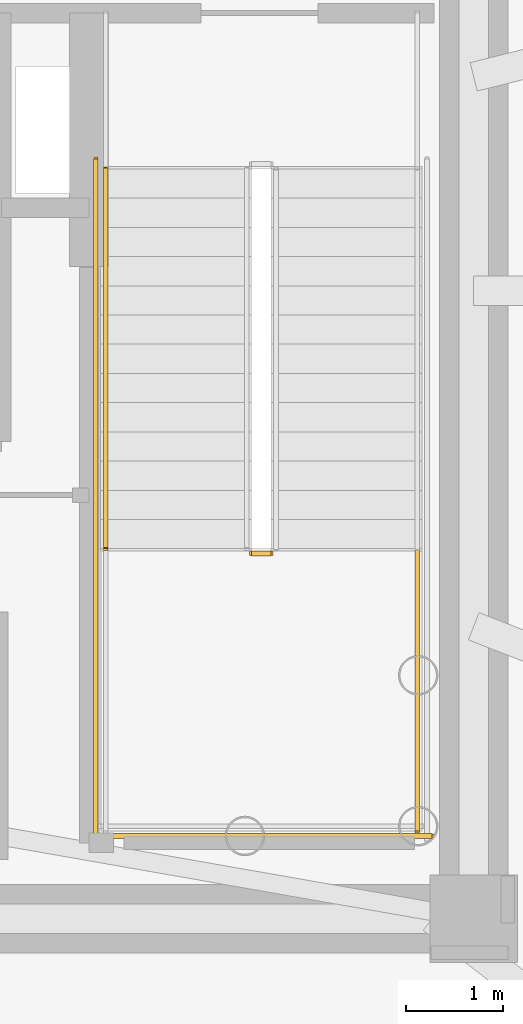
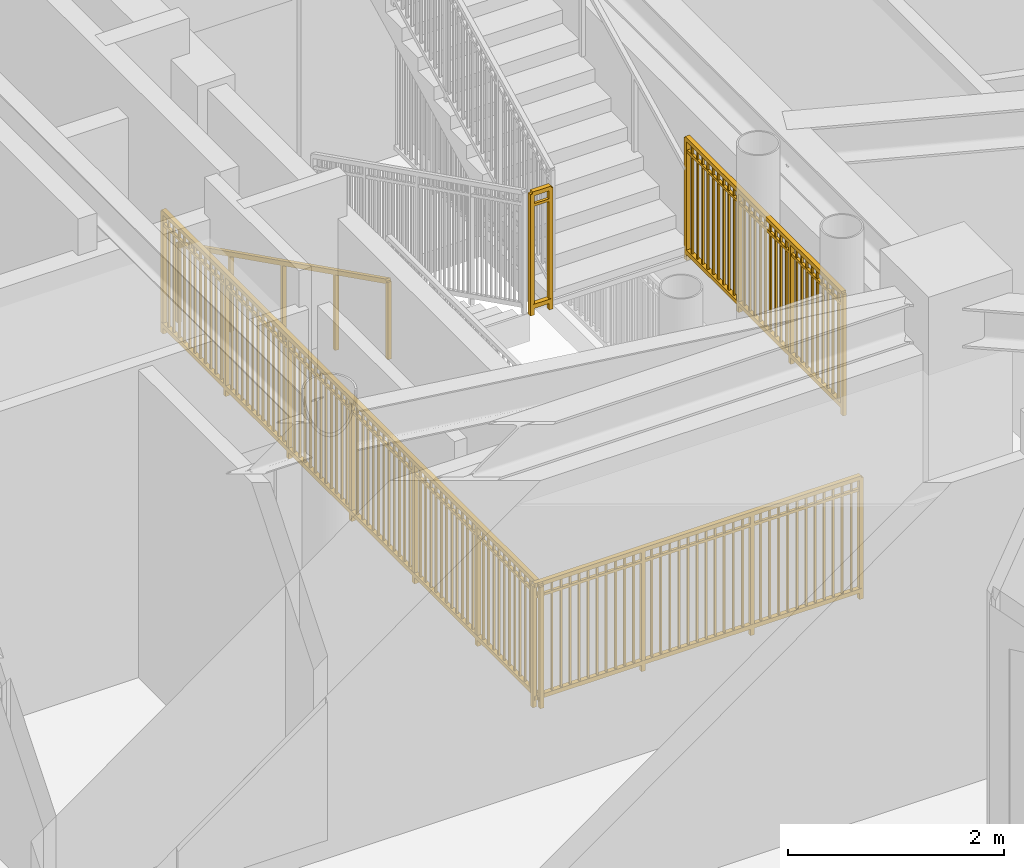
# One storey, part 20 of 24: 5 railings.
"""IFC4 building model written with IfcOpenShell, lengths in metres."""

from ifc_helpers import new_model, si_unit, direction, frame, origin, origin_2d, place, context, subcontext, project, spatial, rectangle, extrude, source, transform, mapped, material, type_object, element, save


model = new_model("IFC4")

# Units and contexts
model_context = context("Model", 3, precision=1e-05, world=origin(), true_north=direction((0.0, 1.0)))
body_context = subcontext(model_context, "Body", "Model", "MODEL_VIEW")
ifc_project = project(units=[si_unit("LENGTHUNIT", "METRE"), si_unit("AREAUNIT", "SQUARE_METRE"), si_unit("VOLUMEUNIT", "CUBIC_METRE"), si_unit("PLANEANGLEUNIT", "RADIAN"), si_unit("MASSUNIT", "GRAM", prefix="KILO")], contexts=[model_context])

# Site, building, storey
site_placement = place(None, origin())
site = spatial("IfcSite", under=ifc_project, at=site_placement, CompositionType="ELEMENT")
building_placement = place(site_placement, origin())
building = spatial("IfcBuilding", under=site, at=building_placement, Name="Linh Dai School and Residence Tower", CompositionType="ELEMENT")
storey_placement = place(building_placement, frame((0.0, 0.0, 355.199951171875)))
storey = spatial("IfcBuildingStorey", under=building, at=storey_placement, Name="L88", CompositionType="ELEMENT", Elevation=355.199951171875)

# Railings
ifc_material_1 = material(Name="Structural Steel S355JR", Category="steel")
railing_type_1 = type_object("IfcRailingType", Name="RL-ST-GUARD-1400", PredefinedType="GUARDRAIL", material=ifc_material_1)
shared_shape_1 = source(origin(), body_context, "Body", "SweptSolid", [
    extrude(rectangle(XDim=0.048095703125, YDim=0.048095703125, at=origin_2d()), frame((0.0, 0.0, 1.3759765625), z_axis=(1.0, 0.0, 0.0), x_axis=(0.0, 1.0, 0.0)), (0.0, 0.0, 1.0), 0.199951171875),
    extrude(rectangle(XDim=0.048095703125, YDim=0.048095703125, at=origin_2d()), frame((0.0, 0.0, 0.10009765625), z_axis=(1.0, 0.0, 0.0), x_axis=(0.0, 1.0, 0.0)), (0.0, 0.0, 1.0), 0.199951171875),
    extrude(rectangle(XDim=0.030029296875, YDim=0.030029296875, at=origin_2d()), frame((0.0, 0.0, 1.239990234375), z_axis=(1.0, 0.0, 0.0), x_axis=(0.0, 1.0, 0.0)), (0.0, 0.0, 1.0), 0.199951171875),
    extrude(rectangle(XDim=0.0419921875, YDim=0.0419921875, at=origin_2d()), origin(), (0.0, 0.0, 1.0), 1.3759765625),
    extrude(rectangle(XDim=0.0419921875, YDim=0.0419921875, at=origin_2d()), frame((0.199951171875, 0.0, 0.0)), (0.0, 0.0, 1.0), 1.3759765625),
])
railing_1_placement = place(storey_placement, frame((42.570068359375, 24.300048828125, 2.10009765625)))
element("IfcRailing", 1, at=railing_1_placement, inside=storey, type_object=railing_type_1, Name="L88 ST2 stair guard 2", PredefinedType="GUARDRAIL", context=body_context, shape_type="MappedRepresentation", body=[
    mapped(shared_shape_1, transform((0.0, 0.0, 0.0), x_axis=(1.0, 0.0, 0.0), y_axis=(0.0, 1.0, 0.0), z_axis=(0.0, 0.0, 1.0), scale=1.0)),
])
shared_shape_2 = source(origin(), body_context, "Body", "SweptSolid", [
    extrude(rectangle(XDim=0.048095703125, YDim=0.048095703125, at=origin_2d()), frame((0.0, 0.0, 1.3759765625), z_axis=(0.0, -1.0, 0.0), x_axis=(1.0, 0.0, 0.0)), (0.0, 0.0, 1.0), 7.0),
    extrude(rectangle(XDim=0.048095703125, YDim=0.048095703125, at=origin_2d()), frame((0.0, 0.0, 0.10009765625), z_axis=(0.0, -1.0, 0.0), x_axis=(1.0, 0.0, 0.0)), (0.0, 0.0, 1.0), 7.0),
    extrude(rectangle(XDim=0.030029296875, YDim=0.030029296875, at=origin_2d()), frame((0.0, 0.0, 1.239990234375), z_axis=(0.0, -1.0, 0.0), x_axis=(1.0, 0.0, 0.0)), (0.0, 0.0, 1.0), 7.0),
    extrude(rectangle(XDim=0.02001953125, YDim=0.02001953125, at=origin_2d()), frame((0.0, -0.09716796875, 0.10009765625)), (0.0, 0.0, 1.0), 1.251708984375),
    extrude(rectangle(XDim=0.02001953125, YDim=0.02001953125, at=origin_2d()), frame((0.0, -0.1943359375, 0.10009765625)), (0.0, 0.0, 1.0), 1.251708984375),
    extrude(rectangle(XDim=0.02001953125, YDim=0.02001953125, at=origin_2d()), frame((0.0, -0.291748046875, 0.10009765625)), (0.0, 0.0, 1.0), 1.251708984375),
    extrude(rectangle(XDim=0.02001953125, YDim=0.02001953125, at=origin_2d()), frame((0.0, -0.388916015625, 0.10009765625)), (0.0, 0.0, 1.0), 1.251708984375),
    extrude(rectangle(XDim=0.02001953125, YDim=0.02001953125, at=origin_2d()), frame((0.0, -0.486083984375, 0.10009765625)), (0.0, 0.0, 1.0), 1.251708984375),
    extrude(rectangle(XDim=0.02001953125, YDim=0.02001953125, at=origin_2d()), frame((0.0, -0.583251953125, 0.10009765625)), (0.0, 0.0, 1.0), 1.251708984375),
    extrude(rectangle(XDim=0.02001953125, YDim=0.02001953125, at=origin_2d()), frame((0.0, -0.6806640625, 0.10009765625)), (0.0, 0.0, 1.0), 1.251708984375),
    extrude(rectangle(XDim=0.02001953125, YDim=0.02001953125, at=origin_2d()), frame((0.0, -0.77783203125, 0.10009765625)), (0.0, 0.0, 1.0), 1.251708984375),
    extrude(rectangle(XDim=0.02001953125, YDim=0.02001953125, at=origin_2d()), frame((0.0, -0.875, 0.10009765625)), (0.0, 0.0, 1.0), 1.251708984375),
    extrude(rectangle(XDim=0.02001953125, YDim=0.02001953125, at=origin_2d()), frame((0.0, -0.97216796875, 0.10009765625)), (0.0, 0.0, 1.0), 1.251708984375),
    extrude(rectangle(XDim=0.02001953125, YDim=0.02001953125, at=origin_2d()), frame((0.0, -1.0693359375, 0.10009765625)), (0.0, 0.0, 1.0), 1.251708984375),
    extrude(rectangle(XDim=0.02001953125, YDim=0.02001953125, at=origin_2d()), frame((0.0, -1.263916015625, 0.10009765625)), (0.0, 0.0, 1.0), 1.251708984375),
    extrude(rectangle(XDim=0.02001953125, YDim=0.02001953125, at=origin_2d()), frame((0.0, -1.361083984375, 0.10009765625)), (0.0, 0.0, 1.0), 1.251708984375),
    extrude(rectangle(XDim=0.02001953125, YDim=0.02001953125, at=origin_2d()), frame((0.0, -1.458251953125, 0.10009765625)), (0.0, 0.0, 1.0), 1.251708984375),
    extrude(rectangle(XDim=0.02001953125, YDim=0.02001953125, at=origin_2d()), frame((0.0, -1.5556640625, 0.10009765625)), (0.0, 0.0, 1.0), 1.251708984375),
    extrude(rectangle(XDim=0.02001953125, YDim=0.02001953125, at=origin_2d()), frame((0.0, -1.65283203125, 0.10009765625)), (0.0, 0.0, 1.0), 1.251708984375),
    extrude(rectangle(XDim=0.02001953125, YDim=0.02001953125, at=origin_2d()), frame((0.0, -1.75, 0.10009765625)), (0.0, 0.0, 1.0), 1.251708984375),
    extrude(rectangle(XDim=0.02001953125, YDim=0.02001953125, at=origin_2d()), frame((0.0, -1.84716796875, 0.10009765625)), (0.0, 0.0, 1.0), 1.251708984375),
    extrude(rectangle(XDim=0.02001953125, YDim=0.02001953125, at=origin_2d()), frame((0.0, -1.9443359375, 0.10009765625)), (0.0, 0.0, 1.0), 1.251708984375),
    extrude(rectangle(XDim=0.02001953125, YDim=0.02001953125, at=origin_2d()), frame((0.0, -2.041748046875, 0.10009765625)), (0.0, 0.0, 1.0), 1.251708984375),
    extrude(rectangle(XDim=0.02001953125, YDim=0.02001953125, at=origin_2d()), frame((0.0, -2.138916015625, 0.10009765625)), (0.0, 0.0, 1.0), 1.251708984375),
    extrude(rectangle(XDim=0.02001953125, YDim=0.02001953125, at=origin_2d()), frame((0.0, -2.236083984375, 0.10009765625)), (0.0, 0.0, 1.0), 1.251708984375),
    extrude(rectangle(XDim=0.02001953125, YDim=0.02001953125, at=origin_2d()), frame((0.0, -2.4306640625, 0.10009765625)), (0.0, 0.0, 1.0), 1.251708984375),
    extrude(rectangle(XDim=0.02001953125, YDim=0.02001953125, at=origin_2d()), frame((0.0, -2.52783203125, 0.10009765625)), (0.0, 0.0, 1.0), 1.251708984375),
    extrude(rectangle(XDim=0.02001953125, YDim=0.02001953125, at=origin_2d()), frame((0.0, -2.625, 0.10009765625)), (0.0, 0.0, 1.0), 1.251708984375),
    extrude(rectangle(XDim=0.02001953125, YDim=0.02001953125, at=origin_2d()), frame((0.0, -2.72216796875, 0.10009765625)), (0.0, 0.0, 1.0), 1.251708984375),
    extrude(rectangle(XDim=0.02001953125, YDim=0.02001953125, at=origin_2d()), frame((0.0, -2.8193359375, 0.10009765625)), (0.0, 0.0, 1.0), 1.251708984375),
    extrude(rectangle(XDim=0.02001953125, YDim=0.02001953125, at=origin_2d()), frame((0.0, -2.916748046875, 0.10009765625)), (0.0, 0.0, 1.0), 1.251708984375),
    extrude(rectangle(XDim=0.02001953125, YDim=0.02001953125, at=origin_2d()), frame((0.0, -3.013916015625, 0.10009765625)), (0.0, 0.0, 1.0), 1.251708984375),
    extrude(rectangle(XDim=0.02001953125, YDim=0.02001953125, at=origin_2d()), frame((0.0, -3.111083984375, 0.10009765625)), (0.0, 0.0, 1.0), 1.251708984375),
    extrude(rectangle(XDim=0.02001953125, YDim=0.02001953125, at=origin_2d()), frame((0.0, -3.208251953125, 0.10009765625)), (0.0, 0.0, 1.0), 1.251708984375),
    extrude(rectangle(XDim=0.02001953125, YDim=0.02001953125, at=origin_2d()), frame((0.0, -3.3056640625, 0.10009765625)), (0.0, 0.0, 1.0), 1.251708984375),
    extrude(rectangle(XDim=0.02001953125, YDim=0.02001953125, at=origin_2d()), frame((0.0, -3.40283203125, 0.10009765625)), (0.0, 0.0, 1.0), 1.251708984375),
    extrude(rectangle(XDim=0.02001953125, YDim=0.02001953125, at=origin_2d()), frame((0.0, -3.59716796875, 0.10009765625)), (0.0, 0.0, 1.0), 1.251708984375),
    extrude(rectangle(XDim=0.02001953125, YDim=0.02001953125, at=origin_2d()), frame((0.0, -3.6943359375, 0.10009765625)), (0.0, 0.0, 1.0), 1.251708984375),
    extrude(rectangle(XDim=0.02001953125, YDim=0.02001953125, at=origin_2d()), frame((0.0, -3.791748046875, 0.10009765625)), (0.0, 0.0, 1.0), 1.251708984375),
    extrude(rectangle(XDim=0.02001953125, YDim=0.02001953125, at=origin_2d()), frame((0.0, -3.888916015625, 0.10009765625)), (0.0, 0.0, 1.0), 1.251708984375),
    extrude(rectangle(XDim=0.02001953125, YDim=0.02001953125, at=origin_2d()), frame((0.0, -3.986083984375, 0.10009765625)), (0.0, 0.0, 1.0), 1.251708984375),
    extrude(rectangle(XDim=0.02001953125, YDim=0.02001953125, at=origin_2d()), frame((0.0, -4.083251953125, 0.10009765625)), (0.0, 0.0, 1.0), 1.251708984375),
    extrude(rectangle(XDim=0.02001953125, YDim=0.02001953125, at=origin_2d()), frame((0.0, -4.1806640625, 0.10009765625)), (0.0, 0.0, 1.0), 1.251708984375),
    extrude(rectangle(XDim=0.02001953125, YDim=0.02001953125, at=origin_2d()), frame((0.0, -4.27783203125, 0.10009765625)), (0.0, 0.0, 1.0), 1.251708984375),
    extrude(rectangle(XDim=0.02001953125, YDim=0.02001953125, at=origin_2d()), frame((0.0, -4.375, 0.10009765625)), (0.0, 0.0, 1.0), 1.251708984375),
    extrude(rectangle(XDim=0.02001953125, YDim=0.02001953125, at=origin_2d()), frame((0.0, -4.47216796875, 0.10009765625)), (0.0, 0.0, 1.0), 1.251708984375),
    extrude(rectangle(XDim=0.02001953125, YDim=0.02001953125, at=origin_2d()), frame((0.0, -4.5693359375, 0.10009765625)), (0.0, 0.0, 1.0), 1.251708984375),
    extrude(rectangle(XDim=0.02001953125, YDim=0.02001953125, at=origin_2d()), frame((0.0, -4.763916015625, 0.10009765625)), (0.0, 0.0, 1.0), 1.251708984375),
    extrude(rectangle(XDim=0.02001953125, YDim=0.02001953125, at=origin_2d()), frame((0.0, -4.861083984375, 0.10009765625)), (0.0, 0.0, 1.0), 1.251708984375),
    extrude(rectangle(XDim=0.02001953125, YDim=0.02001953125, at=origin_2d()), frame((0.0, -4.958251953125, 0.10009765625)), (0.0, 0.0, 1.0), 1.251708984375),
    extrude(rectangle(XDim=0.02001953125, YDim=0.02001953125, at=origin_2d()), frame((0.0, -5.0556640625, 0.10009765625)), (0.0, 0.0, 1.0), 1.251708984375),
    extrude(rectangle(XDim=0.02001953125, YDim=0.02001953125, at=origin_2d()), frame((0.0, -5.15283203125, 0.10009765625)), (0.0, 0.0, 1.0), 1.251708984375),
    extrude(rectangle(XDim=0.02001953125, YDim=0.02001953125, at=origin_2d()), frame((0.0, -5.25, 0.10009765625)), (0.0, 0.0, 1.0), 1.251708984375),
    extrude(rectangle(XDim=0.02001953125, YDim=0.02001953125, at=origin_2d()), frame((0.0, -5.34716796875, 0.10009765625)), (0.0, 0.0, 1.0), 1.251708984375),
    extrude(rectangle(XDim=0.02001953125, YDim=0.02001953125, at=origin_2d()), frame((0.0, -5.4443359375, 0.10009765625)), (0.0, 0.0, 1.0), 1.251708984375),
    extrude(rectangle(XDim=0.02001953125, YDim=0.02001953125, at=origin_2d()), frame((0.0, -5.541748046875, 0.10009765625)), (0.0, 0.0, 1.0), 1.251708984375),
    extrude(rectangle(XDim=0.02001953125, YDim=0.02001953125, at=origin_2d()), frame((0.0, -5.638916015625, 0.10009765625)), (0.0, 0.0, 1.0), 1.251708984375),
    extrude(rectangle(XDim=0.02001953125, YDim=0.02001953125, at=origin_2d()), frame((0.0, -5.736083984375, 0.10009765625)), (0.0, 0.0, 1.0), 1.251708984375),
    extrude(rectangle(XDim=0.02001953125, YDim=0.02001953125, at=origin_2d()), frame((0.0, -5.9306640625, 0.10009765625)), (0.0, 0.0, 1.0), 1.251708984375),
    extrude(rectangle(XDim=0.02001953125, YDim=0.02001953125, at=origin_2d()), frame((0.0, -6.02783203125, 0.10009765625)), (0.0, 0.0, 1.0), 1.251708984375),
    extrude(rectangle(XDim=0.02001953125, YDim=0.02001953125, at=origin_2d()), frame((0.0, -6.125, 0.10009765625)), (0.0, 0.0, 1.0), 1.251708984375),
    extrude(rectangle(XDim=0.02001953125, YDim=0.02001953125, at=origin_2d()), frame((0.0, -6.22216796875, 0.10009765625)), (0.0, 0.0, 1.0), 1.251708984375),
    extrude(rectangle(XDim=0.02001953125, YDim=0.02001953125, at=origin_2d()), frame((0.0, -6.3193359375, 0.10009765625)), (0.0, 0.0, 1.0), 1.251708984375),
    extrude(rectangle(XDim=0.02001953125, YDim=0.02001953125, at=origin_2d()), frame((0.0, -6.416748046875, 0.10009765625)), (0.0, 0.0, 1.0), 1.251708984375),
    extrude(rectangle(XDim=0.02001953125, YDim=0.02001953125, at=origin_2d()), frame((0.0, -6.513916015625, 0.10009765625)), (0.0, 0.0, 1.0), 1.251708984375),
    extrude(rectangle(XDim=0.02001953125, YDim=0.02001953125, at=origin_2d()), frame((0.0, -6.611083984375, 0.10009765625)), (0.0, 0.0, 1.0), 1.251708984375),
    extrude(rectangle(XDim=0.02001953125, YDim=0.02001953125, at=origin_2d()), frame((0.0, -6.708251953125, 0.10009765625)), (0.0, 0.0, 1.0), 1.251708984375),
    extrude(rectangle(XDim=0.02001953125, YDim=0.02001953125, at=origin_2d()), frame((0.0, -6.8056640625, 0.10009765625)), (0.0, 0.0, 1.0), 1.251708984375),
    extrude(rectangle(XDim=0.02001953125, YDim=0.02001953125, at=origin_2d()), frame((0.0, -6.90283203125, 0.10009765625)), (0.0, 0.0, 1.0), 1.251708984375),
    extrude(rectangle(XDim=0.0419921875, YDim=0.0419921875, at=origin_2d()), origin(), (0.0, 0.0, 1.0), 1.3759765625),
    extrude(rectangle(XDim=0.0419921875, YDim=0.0419921875, at=origin_2d()), frame((0.0, -1.166748046875, 0.0)), (0.0, 0.0, 1.0), 1.3759765625),
    extrude(rectangle(XDim=0.0419921875, YDim=0.0419921875, at=origin_2d()), frame((0.0, -2.333251953125, 0.0)), (0.0, 0.0, 1.0), 1.3759765625),
    extrude(rectangle(XDim=0.0419921875, YDim=0.0419921875, at=origin_2d()), frame((0.0, -3.5, 0.0)), (0.0, 0.0, 1.0), 1.3759765625),
    extrude(rectangle(XDim=0.0419921875, YDim=0.0419921875, at=origin_2d()), frame((0.0, -4.666748046875, 0.0)), (0.0, 0.0, 1.0), 1.3759765625),
    extrude(rectangle(XDim=0.0419921875, YDim=0.0419921875, at=origin_2d()), frame((0.0, -5.833251953125, 0.0)), (0.0, 0.0, 1.0), 1.3759765625),
    extrude(rectangle(XDim=0.0419921875, YDim=0.0419921875, at=origin_2d()), frame((0.0, -7.0, 0.0)), (0.0, 0.0, 1.0), 1.3759765625),
])
railing_2_placement = place(storey_placement, frame((40.969970703125, 28.35009765625, 0.0)))
element("IfcRailing", 2, at=railing_2_placement, inside=storey, type_object=railing_type_1, Name="L88 ST2 stair guard 10", PredefinedType="GUARDRAIL", context=body_context, shape_type="MappedRepresentation", body=[
    mapped(shared_shape_2, transform((0.0, 0.0, 0.0), x_axis=(1.0, 0.0, 0.0), y_axis=(0.0, 1.0, 0.0), z_axis=(0.0, 0.0, 1.0), scale=1.0)),
])
shared_shape_3 = source(origin(), body_context, "Body", "SweptSolid", [
    extrude(rectangle(XDim=0.048095703125, YDim=0.048095703125, at=origin_2d()), frame((0.0, 0.0, 1.3759765625), z_axis=(1.0, 0.0, 0.0), x_axis=(0.0, 1.0, 0.0)), (0.0, 0.0, 1.0), 3.5),
    extrude(rectangle(XDim=0.048095703125, YDim=0.048095703125, at=origin_2d()), frame((0.0, 0.0, 0.10009765625), z_axis=(1.0, 0.0, 0.0), x_axis=(0.0, 1.0, 0.0)), (0.0, 0.0, 1.0), 3.5),
    extrude(rectangle(XDim=0.030029296875, YDim=0.030029296875, at=origin_2d()), frame((0.0, 0.0, 1.239990234375), z_axis=(1.0, 0.0, 0.0), x_axis=(0.0, 1.0, 0.0)), (0.0, 0.0, 1.0), 3.5),
    extrude(rectangle(XDim=0.02001953125, YDim=0.02001953125, at=origin_2d()), frame((0.09716796875, 0.0, 0.10009765625)), (0.0, 0.0, 1.0), 1.251708984375),
    extrude(rectangle(XDim=0.02001953125, YDim=0.02001953125, at=origin_2d()), frame((0.1943359375, 0.0, 0.10009765625)), (0.0, 0.0, 1.0), 1.251708984375),
    extrude(rectangle(XDim=0.02001953125, YDim=0.02001953125, at=origin_2d()), frame((0.291748046875, 0.0, 0.10009765625)), (0.0, 0.0, 1.0), 1.251708984375),
    extrude(rectangle(XDim=0.02001953125, YDim=0.02001953125, at=origin_2d()), frame((0.388916015625, 0.0, 0.10009765625)), (0.0, 0.0, 1.0), 1.251708984375),
    extrude(rectangle(XDim=0.02001953125, YDim=0.02001953125, at=origin_2d()), frame((0.486083984375, 0.0, 0.10009765625)), (0.0, 0.0, 1.0), 1.251708984375),
    extrude(rectangle(XDim=0.02001953125, YDim=0.02001953125, at=origin_2d()), frame((0.583251953125, 0.0, 0.10009765625)), (0.0, 0.0, 1.0), 1.251708984375),
    extrude(rectangle(XDim=0.02001953125, YDim=0.02001953125, at=origin_2d()), frame((0.6806640625, 0.0, 0.10009765625)), (0.0, 0.0, 1.0), 1.251708984375),
    extrude(rectangle(XDim=0.02001953125, YDim=0.02001953125, at=origin_2d()), frame((0.77783203125, 0.0, 0.10009765625)), (0.0, 0.0, 1.0), 1.251708984375),
    extrude(rectangle(XDim=0.02001953125, YDim=0.02001953125, at=origin_2d()), frame((0.875, 0.0, 0.10009765625)), (0.0, 0.0, 1.0), 1.251708984375),
    extrude(rectangle(XDim=0.02001953125, YDim=0.02001953125, at=origin_2d()), frame((0.97216796875, 0.0, 0.10009765625)), (0.0, 0.0, 1.0), 1.251708984375),
    extrude(rectangle(XDim=0.02001953125, YDim=0.02001953125, at=origin_2d()), frame((1.0693359375, 0.0, 0.10009765625)), (0.0, 0.0, 1.0), 1.251708984375),
    extrude(rectangle(XDim=0.02001953125, YDim=0.02001953125, at=origin_2d()), frame((1.263916015625, 0.0, 0.10009765625)), (0.0, 0.0, 1.0), 1.251708984375),
    extrude(rectangle(XDim=0.02001953125, YDim=0.02001953125, at=origin_2d()), frame((1.361083984375, 0.0, 0.10009765625)), (0.0, 0.0, 1.0), 1.251708984375),
    extrude(rectangle(XDim=0.02001953125, YDim=0.02001953125, at=origin_2d()), frame((1.458251953125, 0.0, 0.10009765625)), (0.0, 0.0, 1.0), 1.251708984375),
    extrude(rectangle(XDim=0.02001953125, YDim=0.02001953125, at=origin_2d()), frame((1.5556640625, 0.0, 0.10009765625)), (0.0, 0.0, 1.0), 1.251708984375),
    extrude(rectangle(XDim=0.02001953125, YDim=0.02001953125, at=origin_2d()), frame((1.65283203125, 0.0, 0.10009765625)), (0.0, 0.0, 1.0), 1.251708984375),
    extrude(rectangle(XDim=0.02001953125, YDim=0.02001953125, at=origin_2d()), frame((1.75, 0.0, 0.10009765625)), (0.0, 0.0, 1.0), 1.251708984375),
    extrude(rectangle(XDim=0.02001953125, YDim=0.02001953125, at=origin_2d()), frame((1.84716796875, 0.0, 0.10009765625)), (0.0, 0.0, 1.0), 1.251708984375),
    extrude(rectangle(XDim=0.02001953125, YDim=0.02001953125, at=origin_2d()), frame((1.9443359375, 0.0, 0.10009765625)), (0.0, 0.0, 1.0), 1.251708984375),
    extrude(rectangle(XDim=0.02001953125, YDim=0.02001953125, at=origin_2d()), frame((2.041748046875, 0.0, 0.10009765625)), (0.0, 0.0, 1.0), 1.251708984375),
    extrude(rectangle(XDim=0.02001953125, YDim=0.02001953125, at=origin_2d()), frame((2.138916015625, 0.0, 0.10009765625)), (0.0, 0.0, 1.0), 1.251708984375),
    extrude(rectangle(XDim=0.02001953125, YDim=0.02001953125, at=origin_2d()), frame((2.236083984375, 0.0, 0.10009765625)), (0.0, 0.0, 1.0), 1.251708984375),
    extrude(rectangle(XDim=0.02001953125, YDim=0.02001953125, at=origin_2d()), frame((2.4306640625, 0.0, 0.10009765625)), (0.0, 0.0, 1.0), 1.251708984375),
    extrude(rectangle(XDim=0.02001953125, YDim=0.02001953125, at=origin_2d()), frame((2.52783203125, 0.0, 0.10009765625)), (0.0, 0.0, 1.0), 1.251708984375),
    extrude(rectangle(XDim=0.02001953125, YDim=0.02001953125, at=origin_2d()), frame((2.625, 0.0, 0.10009765625)), (0.0, 0.0, 1.0), 1.251708984375),
    extrude(rectangle(XDim=0.02001953125, YDim=0.02001953125, at=origin_2d()), frame((2.72216796875, 0.0, 0.10009765625)), (0.0, 0.0, 1.0), 1.251708984375),
    extrude(rectangle(XDim=0.02001953125, YDim=0.02001953125, at=origin_2d()), frame((2.8193359375, 0.0, 0.10009765625)), (0.0, 0.0, 1.0), 1.251708984375),
    extrude(rectangle(XDim=0.02001953125, YDim=0.02001953125, at=origin_2d()), frame((2.916748046875, 0.0, 0.10009765625)), (0.0, 0.0, 1.0), 1.251708984375),
    extrude(rectangle(XDim=0.02001953125, YDim=0.02001953125, at=origin_2d()), frame((3.013916015625, 0.0, 0.10009765625)), (0.0, 0.0, 1.0), 1.251708984375),
    extrude(rectangle(XDim=0.02001953125, YDim=0.02001953125, at=origin_2d()), frame((3.111083984375, 0.0, 0.10009765625)), (0.0, 0.0, 1.0), 1.251708984375),
    extrude(rectangle(XDim=0.02001953125, YDim=0.02001953125, at=origin_2d()), frame((3.208251953125, 0.0, 0.10009765625)), (0.0, 0.0, 1.0), 1.251708984375),
    extrude(rectangle(XDim=0.02001953125, YDim=0.02001953125, at=origin_2d()), frame((3.3056640625, 0.0, 0.10009765625)), (0.0, 0.0, 1.0), 1.251708984375),
    extrude(rectangle(XDim=0.02001953125, YDim=0.02001953125, at=origin_2d()), frame((3.40283203125, 0.0, 0.10009765625)), (0.0, 0.0, 1.0), 1.251708984375),
    extrude(rectangle(XDim=0.0419921875, YDim=0.0419921875, at=origin_2d()), origin(), (0.0, 0.0, 1.0), 1.3759765625),
    extrude(rectangle(XDim=0.0419921875, YDim=0.0419921875, at=origin_2d()), frame((1.166748046875, 0.0, 0.0)), (0.0, 0.0, 1.0), 1.3759765625),
    extrude(rectangle(XDim=0.0419921875, YDim=0.0419921875, at=origin_2d()), frame((2.333251953125, 0.0, 0.0)), (0.0, 0.0, 1.0), 1.3759765625),
    extrude(rectangle(XDim=0.0419921875, YDim=0.0419921875, at=origin_2d()), frame((3.5, 0.0, 0.0)), (0.0, 0.0, 1.0), 1.3759765625),
])
railing_3_placement = place(storey_placement, frame((40.919921875, 21.39990234375, 0.0)))
element("IfcRailing", 3, at=railing_3_placement, inside=storey, type_object=railing_type_1, Name="L88 ST2 stair guard 12", PredefinedType="GUARDRAIL", context=body_context, shape_type="MappedRepresentation", body=[
    mapped(shared_shape_3, transform((0.0, 0.0, 0.0), x_axis=(1.0, 0.0, 0.0), y_axis=(0.0, 1.0, 0.0), z_axis=(0.0, 0.0, 1.0), scale=1.0)),
])
shared_shape_4 = source(origin(), body_context, "Body", "SweptSolid", [
    extrude(rectangle(XDim=0.048095703125, YDim=0.048095703125, at=origin_2d()), frame((0.0, 0.0, 1.3759765625), z_axis=(0.0, -1.0, 0.0), x_axis=(1.0, 0.0, 0.0)), (0.0, 0.0, 1.0), 2.900146484375),
    extrude(rectangle(XDim=0.048095703125, YDim=0.048095703125, at=origin_2d()), frame((0.0, 0.0, 0.10009765625), z_axis=(0.0, -1.0, 0.0), x_axis=(1.0, 0.0, 0.0)), (0.0, 0.0, 1.0), 2.900146484375),
    extrude(rectangle(XDim=0.030029296875, YDim=0.030029296875, at=origin_2d()), frame((0.0, 0.0, 1.239990234375), z_axis=(0.0, -1.0, 0.0), x_axis=(1.0, 0.0, 0.0)), (0.0, 0.0, 1.0), 2.900146484375),
    extrude(rectangle(XDim=0.02001953125, YDim=0.02001953125, at=origin_2d()), frame((0.0, -0.0966796875, 0.10009765625)), (0.0, 0.0, 1.0), 1.251708984375),
    extrude(rectangle(XDim=0.02001953125, YDim=0.02001953125, at=origin_2d()), frame((0.0, -0.193359375, 0.10009765625)), (0.0, 0.0, 1.0), 1.251708984375),
    extrude(rectangle(XDim=0.02001953125, YDim=0.02001953125, at=origin_2d()), frame((0.0, -0.2900390625, 0.10009765625)), (0.0, 0.0, 1.0), 1.251708984375),
    extrude(rectangle(XDim=0.02001953125, YDim=0.02001953125, at=origin_2d()), frame((0.0, -0.38671875, 0.10009765625)), (0.0, 0.0, 1.0), 1.251708984375),
    extrude(rectangle(XDim=0.02001953125, YDim=0.02001953125, at=origin_2d()), frame((0.0, -0.4833984375, 0.10009765625)), (0.0, 0.0, 1.0), 1.251708984375),
    extrude(rectangle(XDim=0.02001953125, YDim=0.02001953125, at=origin_2d()), frame((0.0, -0.580078125, 0.10009765625)), (0.0, 0.0, 1.0), 1.251708984375),
    extrude(rectangle(XDim=0.02001953125, YDim=0.02001953125, at=origin_2d()), frame((0.0, -0.6767578125, 0.10009765625)), (0.0, 0.0, 1.0), 1.251708984375),
    extrude(rectangle(XDim=0.02001953125, YDim=0.02001953125, at=origin_2d()), frame((0.0, -0.7734375, 0.10009765625)), (0.0, 0.0, 1.0), 1.251708984375),
    extrude(rectangle(XDim=0.02001953125, YDim=0.02001953125, at=origin_2d()), frame((0.0, -0.8701171875, 0.10009765625)), (0.0, 0.0, 1.0), 1.251708984375),
    extrude(rectangle(XDim=0.02001953125, YDim=0.02001953125, at=origin_2d()), frame((0.0, -1.0634765625, 0.10009765625)), (0.0, 0.0, 1.0), 1.251708984375),
    extrude(rectangle(XDim=0.02001953125, YDim=0.02001953125, at=origin_2d()), frame((0.0, -1.16015625, 0.10009765625)), (0.0, 0.0, 1.0), 1.251708984375),
    extrude(rectangle(XDim=0.02001953125, YDim=0.02001953125, at=origin_2d()), frame((0.0, -1.2568359375, 0.10009765625)), (0.0, 0.0, 1.0), 1.251708984375),
    extrude(rectangle(XDim=0.02001953125, YDim=0.02001953125, at=origin_2d()), frame((0.0, -1.353515625, 0.10009765625)), (0.0, 0.0, 1.0), 1.251708984375),
    extrude(rectangle(XDim=0.02001953125, YDim=0.02001953125, at=origin_2d()), frame((0.0, -1.4501953125, 0.10009765625)), (0.0, 0.0, 1.0), 1.251708984375),
    extrude(rectangle(XDim=0.02001953125, YDim=0.02001953125, at=origin_2d()), frame((0.0, -1.546630859375, 0.10009765625)), (0.0, 0.0, 1.0), 1.251708984375),
    extrude(rectangle(XDim=0.02001953125, YDim=0.02001953125, at=origin_2d()), frame((0.0, -1.643310546875, 0.10009765625)), (0.0, 0.0, 1.0), 1.251708984375),
    extrude(rectangle(XDim=0.02001953125, YDim=0.02001953125, at=origin_2d()), frame((0.0, -1.739990234375, 0.10009765625)), (0.0, 0.0, 1.0), 1.251708984375),
    extrude(rectangle(XDim=0.02001953125, YDim=0.02001953125, at=origin_2d()), frame((0.0, -1.836669921875, 0.10009765625)), (0.0, 0.0, 1.0), 1.251708984375),
    extrude(rectangle(XDim=0.02001953125, YDim=0.02001953125, at=origin_2d()), frame((0.0, -2.030029296875, 0.10009765625)), (0.0, 0.0, 1.0), 1.251708984375),
    extrude(rectangle(XDim=0.02001953125, YDim=0.02001953125, at=origin_2d()), frame((0.0, -2.126708984375, 0.10009765625)), (0.0, 0.0, 1.0), 1.251708984375),
    extrude(rectangle(XDim=0.02001953125, YDim=0.02001953125, at=origin_2d()), frame((0.0, -2.223388671875, 0.10009765625)), (0.0, 0.0, 1.0), 1.251708984375),
    extrude(rectangle(XDim=0.02001953125, YDim=0.02001953125, at=origin_2d()), frame((0.0, -2.320068359375, 0.10009765625)), (0.0, 0.0, 1.0), 1.251708984375),
    extrude(rectangle(XDim=0.02001953125, YDim=0.02001953125, at=origin_2d()), frame((0.0, -2.416748046875, 0.10009765625)), (0.0, 0.0, 1.0), 1.251708984375),
    extrude(rectangle(XDim=0.02001953125, YDim=0.02001953125, at=origin_2d()), frame((0.0, -2.513427734375, 0.10009765625)), (0.0, 0.0, 1.0), 1.251708984375),
    extrude(rectangle(XDim=0.02001953125, YDim=0.02001953125, at=origin_2d()), frame((0.0, -2.610107421875, 0.10009765625)), (0.0, 0.0, 1.0), 1.251708984375),
    extrude(rectangle(XDim=0.02001953125, YDim=0.02001953125, at=origin_2d()), frame((0.0, -2.706787109375, 0.10009765625)), (0.0, 0.0, 1.0), 1.251708984375),
    extrude(rectangle(XDim=0.02001953125, YDim=0.02001953125, at=origin_2d()), frame((0.0, -2.803466796875, 0.10009765625)), (0.0, 0.0, 1.0), 1.251708984375),
    extrude(rectangle(XDim=0.0419921875, YDim=0.0419921875, at=origin_2d()), origin(), (0.0, 0.0, 1.0), 1.3759765625),
    extrude(rectangle(XDim=0.0419921875, YDim=0.0419921875, at=origin_2d()), frame((0.0, -0.966796875, 0.0)), (0.0, 0.0, 1.0), 1.3759765625),
    extrude(rectangle(XDim=0.0419921875, YDim=0.0419921875, at=origin_2d()), frame((0.0, -1.933349609375, 0.0)), (0.0, 0.0, 1.0), 1.3759765625),
    extrude(rectangle(XDim=0.0419921875, YDim=0.0419921875, at=origin_2d()), frame((0.0, -2.900146484375, 0.0)), (0.0, 0.0, 1.0), 1.3759765625),
])
railing_4_placement = place(storey_placement, frame((44.27001953125, 24.35009765625, 2.10009765625)))
element("IfcRailing", 4, at=railing_4_placement, inside=storey, type_object=railing_type_1, Name="L88 ST2 stair guard 4", PredefinedType="GUARDRAIL", context=body_context, shape_type="MappedRepresentation", body=[
    mapped(shared_shape_4, transform((0.0, 0.0, 0.0), x_axis=(1.0, 0.0, 0.0), y_axis=(0.0, 1.0, 0.0), z_axis=(0.0, 0.0, 1.0), scale=1.0)),
])
ifc_material_2 = material(Name="Brushed Stainless Steel Handrail", Category="steel")
railing_type_2 = type_object("IfcRailingType", Name="RL-ST-HANDRAIL-900", PredefinedType="HANDRAIL", material=ifc_material_2)
shared_shape_5 = source(origin(), body_context, "Body", "SweptSolid", [
    extrude(rectangle(XDim=0.048095703125, YDim=0.048095703125, at=origin_2d()), frame((0.0, 0.0, 0.8759765625), z_axis=(0.0, -0.894427191, 0.4472135955), x_axis=(1.0, 0.0, 0.0)), (0.0, 0.0, 1.0), 4.360107421875),
    extrude(rectangle(XDim=0.0419921875, YDim=0.0419921875, at=origin_2d()), origin(), (0.0, 0.0, 1.0), 0.8759765625),
    extrude(rectangle(XDim=0.0419921875, YDim=0.0419921875, at=origin_2d()), frame((0.0, -0.97509765625, 0.487548828125)), (0.0, 0.0, 1.0), 0.8759765625),
    extrude(rectangle(XDim=0.0419921875, YDim=0.0419921875, at=origin_2d()), frame((0.0, -1.949951171875, 0.97509765625)), (0.0, 0.0, 1.0), 0.8759765625),
    extrude(rectangle(XDim=0.0419921875, YDim=0.0419921875, at=origin_2d()), frame((0.0, -2.9248046875, 1.46240234375)), (0.0, 0.0, 1.0), 0.8759765625),
    extrude(rectangle(XDim=0.0419921875, YDim=0.0419921875, at=origin_2d()), frame((0.0, -3.89990234375, 1.949951171875)), (0.0, 0.0, 1.0), 0.8759765625),
])
railing_5_placement = place(storey_placement, frame((41.070068359375, 28.25, 0.150146484375)))
element("IfcRailing", 5, at=railing_5_placement, inside=storey, type_object=railing_type_2, Name="L88 ST2 stair handrail 1", PredefinedType="HANDRAIL", context=body_context, shape_type="MappedRepresentation", body=[
    mapped(shared_shape_5, transform((0.0, 0.0, 0.0), x_axis=(1.0, 0.0, 0.0), y_axis=(0.0, 1.0, 0.0), z_axis=(0.0, 0.0, 1.0), scale=1.0)),
])

save(model, "model.ifc")
